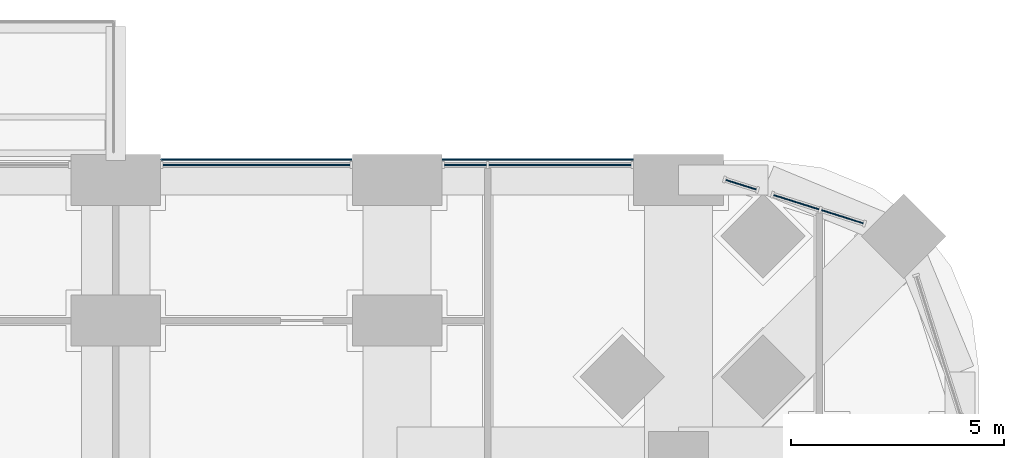
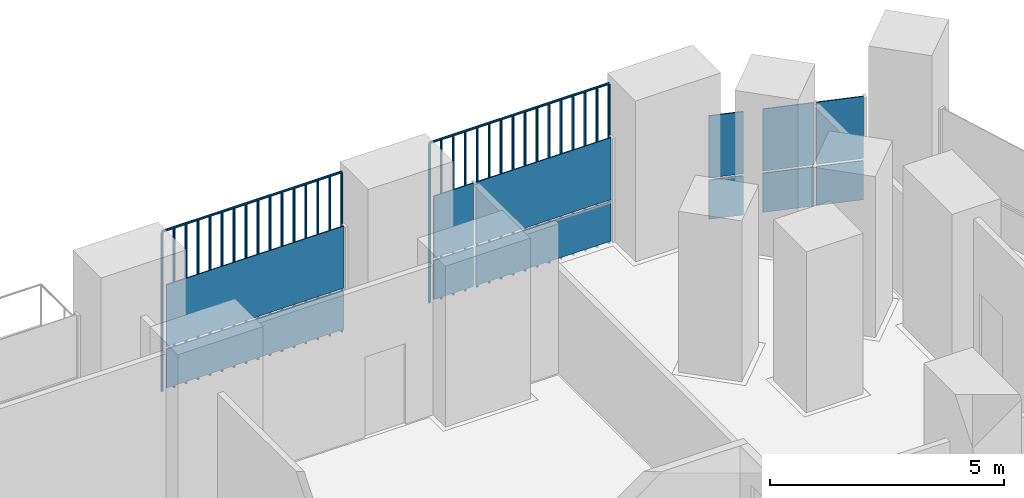
# One storey, part 16 of 26: 14 plates, 4 elements without a shape of their own.
"""IFC4 building model written with IfcOpenShell, lengths in metres."""

from ifc_helpers import new_model, si_unit, direction, frame, origin, origin_2d, place, context, subcontext, project, spatial, polyline, rectangle, outline, extrude, material, layer, layer_set, type_object, element, aggregate, save


model = new_model("IFC4")

# Units and contexts
model_context = context("Model", 3, precision=1e-05, world=origin(), true_north=direction((0.0, 1.0)))
body_context = subcontext(model_context, "Body", "Model", "MODEL_VIEW")
ifc_project = project(units=[si_unit("LENGTHUNIT", "METRE"), si_unit("AREAUNIT", "SQUARE_METRE"), si_unit("VOLUMEUNIT", "CUBIC_METRE"), si_unit("PLANEANGLEUNIT", "RADIAN"), si_unit("MASSUNIT", "GRAM", prefix="KILO")], contexts=[model_context])

# Site, building, storey
site_placement = place(None, origin())
site = spatial("IfcSite", under=ifc_project, at=site_placement, CompositionType="ELEMENT")
building_placement = place(site_placement, origin())
building = spatial("IfcBuilding", under=site, at=building_placement, Name="Cobogo Forest Laboratory Tower", CompositionType="ELEMENT")
storey_placement = place(building_placement, frame((0.0, 0.0, 59.10009765625)))
storey = spatial("IfcBuildingStorey", under=building, at=storey_placement, Name="L13", CompositionType="ELEMENT", Elevation=59.10009765625)

# Curtain wall, plates
ifc_material_1 = material(Name="Aluminium curtain wall", Category="aluminium")
curtain_wall_type = type_object("IfcCurtainWallType", Name="CW-1 unitised curtain wall, clear glazing, laboratory floors zones A and B", PredefinedType="USERDEFINED", material=ifc_material_1)
curtain_wall_1_placement = place(storey_placement, origin())
curtain_wall_1 = element("IfcCurtainWall", 1, at=curtain_wall_1_placement, inside=storey, type_object=curtain_wall_type, Name="Curtain wall 16 L13", ObjectType="UNITISED CURTAIN WALL", PredefinedType="USERDEFINED")
ifc_material_2 = material(Name="Clear insulated glass", Category="glass")
ifc_layer = layer(ifc_material_2, 0.028076171875)
ifc_layer_set = layer_set([ifc_layer], Name="GP-1 clear insulated glass unit 28")
plate_type_1 = type_object("IfcPlateType", Name="GP-1 clear insulated glass unit 28", PredefinedType="CURTAIN_PANEL", material=ifc_layer_set)
plate_1_placement = place(storey_placement, frame((50.042724609375, 45.33642578125, 0.0), z_axis=(0.0, 0.0, 1.0), x_axis=(-0.953581409645, 0.301135343623, 0.0)))
plate_1 = element("IfcPlate", 2, at=plate_1_placement, type_object=plate_type_1, Name="CW-1 panel 1.1", PredefinedType="CURTAIN_PANEL", context=body_context, shape_type="SweptSolid", body=[
    extrude(rectangle(XDim=1.027587890625, YDim=0.028076171875, at=origin_2d()), origin(), (0.0, 0.0, 1.0), 1.02001953125),
])
plate_2_placement = place(storey_placement, frame((50.042724609375, 45.33642578125, 1.079833984375), z_axis=(0.0, 0.0, 1.0), x_axis=(-0.953581409645, 0.301135343623, 0.0)))
plate_2 = element("IfcPlate", 3, at=plate_2_placement, type_object=plate_type_1, Name="CW-1 panel 1.2", PredefinedType="CURTAIN_PANEL", context=body_context, shape_type="SweptSolid", body=[
    extrude(rectangle(XDim=1.027587890625, YDim=0.028076171875, at=origin_2d()), origin(), (0.0, 0.0, 1.0), 1.6201171875),
])
plate_3_placement = place(storey_placement, frame((48.963623046875, 45.67724609375, 0.0), z_axis=(0.0, 0.0, 1.0), x_axis=(-0.953581409645, 0.301135343623, 0.0)))
plate_3 = element("IfcPlate", 4, at=plate_3_placement, type_object=plate_type_1, Name="CW-1 panel 2.1", PredefinedType="CURTAIN_PANEL", context=body_context, shape_type="SweptSolid", body=[
    extrude(rectangle(XDim=1.11572265625, YDim=0.028076171875, at=origin_2d()), origin(), (0.0, 0.0, 1.0), 1.02001953125),
])
plate_4_placement = place(storey_placement, frame((48.963623046875, 45.67724609375, 1.079833984375), z_axis=(0.0, 0.0, 1.0), x_axis=(-0.953581409645, 0.301135343623, 0.0)))
plate_4 = element("IfcPlate", 5, at=plate_4_placement, type_object=plate_type_1, Name="CW-1 panel 2.2", PredefinedType="CURTAIN_PANEL", context=body_context, shape_type="SweptSolid", body=[
    extrude(rectangle(XDim=1.11572265625, YDim=0.028076171875, at=origin_2d()), origin(), (0.0, 0.0, 1.0), 1.6201171875),
])
aggregate(curtain_wall_1, [plate_1, plate_2, plate_3, plate_4])

curtain_wall_2_placement = place(storey_placement, origin())
curtain_wall_2 = element("IfcCurtainWall", 6, at=curtain_wall_2_placement, inside=storey, type_object=curtain_wall_type, Name="Curtain wall 17 L13", ObjectType="UNITISED CURTAIN WALL", PredefinedType="USERDEFINED")
plate_5_placement = place(storey_placement, frame((47.666015625, 46.087158203125, 0.0), z_axis=(0.0, 0.0, 1.0), x_axis=(-0.953581504428, 0.301135043481, 0.0)))
plate_5 = element("IfcPlate", 7, at=plate_5_placement, type_object=plate_type_1, Name="CW-1 panel 1.1", PredefinedType="CURTAIN_PANEL", context=body_context, shape_type="SweptSolid", body=[
    extrude(rectangle(XDim=0.75244140625, YDim=0.028076171875, at=origin_2d()), origin(), (0.0, 0.0, 1.0), 1.02001953125),
])
plate_6_placement = place(storey_placement, frame((47.666015625, 46.087158203125, 1.079833984375), z_axis=(0.0, 0.0, 1.0), x_axis=(-0.953581504428, 0.301135043481, 0.0)))
plate_6 = element("IfcPlate", 8, at=plate_6_placement, type_object=plate_type_1, Name="CW-1 panel 1.2", PredefinedType="CURTAIN_PANEL", context=body_context, shape_type="SweptSolid", body=[
    extrude(rectangle(XDim=0.75244140625, YDim=0.028076171875, at=origin_2d()), origin(), (0.0, 0.0, 1.0), 1.6201171875),
])
aggregate(curtain_wall_2, [plate_5, plate_6])

curtain_wall_3_placement = place(storey_placement, origin())
curtain_wall_3 = element("IfcCurtainWall", 9, at=curtain_wall_3_placement, inside=storey, type_object=curtain_wall_type, Name="Curtain wall 18 L13", ObjectType="UNITISED CURTAIN WALL", PredefinedType="USERDEFINED")
plate_7_placement = place(storey_placement, frame((43.422607421875, 46.550048828125, 0.0), z_axis=(0.0, 0.0, 1.0), x_axis=(-1.0, 0.0, 0.0)))
plate_7 = element("IfcPlate", 10, at=plate_7_placement, type_object=plate_type_1, Name="CW-1 panel 1.1", PredefinedType="CURTAIN_PANEL", context=body_context, shape_type="SweptSolid", body=[
    extrude(rectangle(XDim=3.3349609375, YDim=0.028076171875, at=origin_2d()), origin(), (0.0, 0.0, 1.0), 1.02001953125),
])
plate_8_placement = place(storey_placement, frame((43.422607421875, 46.550048828125, 1.079833984375), z_axis=(0.0, 0.0, 1.0), x_axis=(-1.0, 0.0, 0.0)))
plate_8 = element("IfcPlate", 11, at=plate_8_placement, type_object=plate_type_1, Name="CW-1 panel 1.2", PredefinedType="CURTAIN_PANEL", context=body_context, shape_type="SweptSolid", body=[
    extrude(rectangle(XDim=3.3349609375, YDim=0.028076171875, at=origin_2d()), origin(), (0.0, 0.0, 1.0), 1.6201171875),
])
plate_9_placement = place(storey_placement, frame((41.202392578125, 46.550048828125, 0.0), z_axis=(0.0, 0.0, 1.0), x_axis=(-1.0, 0.0, 0.0)))
plate_9 = element("IfcPlate", 12, at=plate_9_placement, type_object=plate_type_1, Name="CW-1 panel 2.1", PredefinedType="CURTAIN_PANEL", context=body_context, shape_type="SweptSolid", body=[
    extrude(rectangle(XDim=0.985107421875, YDim=0.028076171875, at=origin_2d()), origin(), (0.0, 0.0, 1.0), 1.02001953125),
])
plate_10_placement = place(storey_placement, frame((41.202392578125, 46.550048828125, 1.079833984375), z_axis=(0.0, 0.0, 1.0), x_axis=(-1.0, 0.0, 0.0)))
plate_10 = element("IfcPlate", 13, at=plate_10_placement, type_object=plate_type_1, Name="CW-1 panel 2.2", PredefinedType="CURTAIN_PANEL", context=body_context, shape_type="SweptSolid", body=[
    extrude(rectangle(XDim=0.985107421875, YDim=0.028076171875, at=origin_2d()), origin(), (0.0, 0.0, 1.0), 1.6201171875),
])
aggregate(curtain_wall_3, [plate_7, plate_8, plate_9, plate_10])

curtain_wall_4_placement = place(storey_placement, origin())
curtain_wall_4 = element("IfcCurtainWall", 14, at=curtain_wall_4_placement, inside=storey, type_object=curtain_wall_type, Name="Curtain wall 19 L13", ObjectType="UNITISED CURTAIN WALL", PredefinedType="USERDEFINED")
plate_11_placement = place(storey_placement, frame((36.300048828125, 46.550048828125, 0.0), z_axis=(0.0, 0.0, 1.0), x_axis=(-1.0, 0.0, 0.0)))
plate_11 = element("IfcPlate", 15, at=plate_11_placement, type_object=plate_type_1, Name="CW-1 panel 1.1", PredefinedType="CURTAIN_PANEL", context=body_context, shape_type="SweptSolid", body=[
    extrude(rectangle(XDim=4.3798828125, YDim=0.028076171875, at=origin_2d()), origin(), (0.0, 0.0, 1.0), 1.02001953125),
])
plate_12_placement = place(storey_placement, frame((36.300048828125, 46.550048828125, 1.079833984375), z_axis=(0.0, 0.0, 1.0), x_axis=(-1.0, 0.0, 0.0)))
plate_12 = element("IfcPlate", 16, at=plate_12_placement, type_object=plate_type_1, Name="CW-1 panel 1.2", PredefinedType="CURTAIN_PANEL", context=body_context, shape_type="SweptSolid", body=[
    extrude(rectangle(XDim=4.3798828125, YDim=0.028076171875, at=origin_2d()), origin(), (0.0, 0.0, 1.0), 1.6201171875),
])
aggregate(curtain_wall_4, [plate_11, plate_12])

# Plates
ifc_material_3 = material(Name="Terracotta", Category="masonry")
plate_type_2 = type_object("IfcPlateType", Name="TB1 terracotta baguette screen", PredefinedType="USERDEFINED", material=ifc_material_3)
plate_13_placement = place(storey_placement, frame((34.081298828125, 46.677978515625, -0.150146484375)))
element("IfcPlate", 17, at=plate_13_placement, inside=storey, type_object=plate_type_2, Name="Baguette screen N5 L13", ObjectType="BAGUETTE SCREEN", PredefinedType="USERDEFINED", context=body_context, shape_type="SweptSolid", body=[
    extrude(outline(polyline([(0.02880859375, 0.011962890625), (0.011962890625, 0.02880859375), (-0.011962890625, 0.02880859375), (-0.02880859375, 0.011962890625), (-0.02880859375, -0.011962890625), (-0.011962890625, -0.02880859375), (0.011962890625, -0.02880859375), (0.02880859375, -0.011962890625), (0.02880859375, 0.011962890625)])), frame((0.0, 0.0, 4.168701171875), z_axis=(1.0, 0.0, 0.0), x_axis=(0.0, 1.0, 0.0)), (0.0, 0.0, 1.0), 4.4375),
    extrude(outline(polyline([(0.02880859375, 0.011962890625), (0.011962890625, 0.02880859375), (-0.011962890625, 0.02880859375), (-0.02880859375, 0.011962890625), (-0.02880859375, -0.011962890625), (-0.011962890625, -0.02880859375), (0.011962890625, -0.02880859375), (0.02880859375, -0.011962890625), (0.02880859375, 0.011962890625)])), origin(), (0.0, 0.0, 1.0), 4.137451171875),
    extrude(outline(polyline([(0.02880859375, 0.011962890625), (0.011962890625, 0.02880859375), (-0.011962890625, 0.02880859375), (-0.02880859375, 0.011962890625), (-0.02880859375, -0.011962890625), (-0.011962890625, -0.02880859375), (0.011962890625, -0.02880859375), (0.02880859375, -0.011962890625), (0.02880859375, 0.011962890625)])), frame((0.2958984375, 0.0, 0.0)), (0.0, 0.0, 1.0), 4.137451171875),
    extrude(outline(polyline([(0.02880859375, 0.011962890625), (0.011962890625, 0.02880859375), (-0.011962890625, 0.02880859375), (-0.02880859375, 0.011962890625), (-0.02880859375, -0.011962890625), (-0.011962890625, -0.02880859375), (0.011962890625, -0.02880859375), (0.02880859375, -0.011962890625), (0.02880859375, 0.011962890625)])), frame((0.591552734375, 0.0, 0.0)), (0.0, 0.0, 1.0), 4.137451171875),
    extrude(outline(polyline([(0.02880859375, 0.011962890625), (0.011962890625, 0.02880859375), (-0.011962890625, 0.02880859375), (-0.02880859375, 0.011962890625), (-0.02880859375, -0.011962890625), (-0.011962890625, -0.02880859375), (0.011962890625, -0.02880859375), (0.02880859375, -0.011962890625), (0.02880859375, 0.011962890625)])), frame((0.887451171875, 0.0, 0.0)), (0.0, 0.0, 1.0), 4.137451171875),
    extrude(outline(polyline([(0.02880859375, 0.011962890625), (0.011962890625, 0.02880859375), (-0.011962890625, 0.02880859375), (-0.02880859375, 0.011962890625), (-0.02880859375, -0.011962890625), (-0.011962890625, -0.02880859375), (0.011962890625, -0.02880859375), (0.02880859375, -0.011962890625), (0.02880859375, 0.011962890625)])), frame((1.183349609375, 0.0, 0.0)), (0.0, 0.0, 1.0), 4.137451171875),
    extrude(outline(polyline([(0.02880859375, 0.011962890625), (0.011962890625, 0.02880859375), (-0.011962890625, 0.02880859375), (-0.02880859375, 0.011962890625), (-0.02880859375, -0.011962890625), (-0.011962890625, -0.02880859375), (0.011962890625, -0.02880859375), (0.02880859375, -0.011962890625), (0.02880859375, 0.011962890625)])), frame((1.479248046875, 0.0, 0.0)), (0.0, 0.0, 1.0), 4.137451171875),
    extrude(outline(polyline([(0.02880859375, 0.011962890625), (0.011962890625, 0.02880859375), (-0.011962890625, 0.02880859375), (-0.02880859375, 0.011962890625), (-0.02880859375, -0.011962890625), (-0.011962890625, -0.02880859375), (0.011962890625, -0.02880859375), (0.02880859375, -0.011962890625), (0.02880859375, 0.011962890625)])), frame((1.77490234375, 0.0, 0.0)), (0.0, 0.0, 1.0), 4.137451171875),
    extrude(outline(polyline([(0.02880859375, 0.011962890625), (0.011962890625, 0.02880859375), (-0.011962890625, 0.02880859375), (-0.02880859375, 0.011962890625), (-0.02880859375, -0.011962890625), (-0.011962890625, -0.02880859375), (0.011962890625, -0.02880859375), (0.02880859375, -0.011962890625), (0.02880859375, 0.011962890625)])), frame((2.07080078125, 0.0, 0.0)), (0.0, 0.0, 1.0), 4.137451171875),
    extrude(outline(polyline([(0.02880859375, 0.011962890625), (0.011962890625, 0.02880859375), (-0.011962890625, 0.02880859375), (-0.02880859375, 0.011962890625), (-0.02880859375, -0.011962890625), (-0.011962890625, -0.02880859375), (0.011962890625, -0.02880859375), (0.02880859375, -0.011962890625), (0.02880859375, 0.011962890625)])), frame((2.36669921875, 0.0, 0.0)), (0.0, 0.0, 1.0), 4.137451171875),
    extrude(outline(polyline([(0.02880859375, 0.011962890625), (0.011962890625, 0.02880859375), (-0.011962890625, 0.02880859375), (-0.02880859375, 0.011962890625), (-0.02880859375, -0.011962890625), (-0.011962890625, -0.02880859375), (0.011962890625, -0.02880859375), (0.02880859375, -0.011962890625), (0.02880859375, 0.011962890625)])), frame((2.66259765625, 0.0, 0.0)), (0.0, 0.0, 1.0), 4.137451171875),
    extrude(outline(polyline([(0.02880859375, 0.011962890625), (0.011962890625, 0.02880859375), (-0.011962890625, 0.02880859375), (-0.02880859375, 0.011962890625), (-0.02880859375, -0.011962890625), (-0.011962890625, -0.02880859375), (0.011962890625, -0.02880859375), (0.02880859375, -0.011962890625), (0.02880859375, 0.011962890625)])), frame((2.958251953125, 0.0, 0.0)), (0.0, 0.0, 1.0), 4.137451171875),
    extrude(outline(polyline([(0.02880859375, 0.011962890625), (0.011962890625, 0.02880859375), (-0.011962890625, 0.02880859375), (-0.02880859375, 0.011962890625), (-0.02880859375, -0.011962890625), (-0.011962890625, -0.02880859375), (0.011962890625, -0.02880859375), (0.02880859375, -0.011962890625), (0.02880859375, 0.011962890625)])), frame((3.254150390625, 0.0, 0.0)), (0.0, 0.0, 1.0), 4.137451171875),
    extrude(outline(polyline([(0.02880859375, 0.011962890625), (0.011962890625, 0.02880859375), (-0.011962890625, 0.02880859375), (-0.02880859375, 0.011962890625), (-0.02880859375, -0.011962890625), (-0.011962890625, -0.02880859375), (0.011962890625, -0.02880859375), (0.02880859375, -0.011962890625), (0.02880859375, 0.011962890625)])), frame((3.550048828125, 0.0, 0.0)), (0.0, 0.0, 1.0), 4.137451171875),
    extrude(outline(polyline([(0.02880859375, 0.011962890625), (0.011962890625, 0.02880859375), (-0.011962890625, 0.02880859375), (-0.02880859375, 0.011962890625), (-0.02880859375, -0.011962890625), (-0.011962890625, -0.02880859375), (0.011962890625, -0.02880859375), (0.02880859375, -0.011962890625), (0.02880859375, 0.011962890625)])), frame((3.845947265625, 0.0, 0.0)), (0.0, 0.0, 1.0), 4.137451171875),
    extrude(outline(polyline([(0.02880859375, 0.011962890625), (0.011962890625, 0.02880859375), (-0.011962890625, 0.02880859375), (-0.02880859375, 0.011962890625), (-0.02880859375, -0.011962890625), (-0.011962890625, -0.02880859375), (0.011962890625, -0.02880859375), (0.02880859375, -0.011962890625), (0.02880859375, 0.011962890625)])), frame((4.1416015625, 0.0, 0.0)), (0.0, 0.0, 1.0), 4.137451171875),
    extrude(outline(polyline([(0.02880859375, 0.011962890625), (0.011962890625, 0.02880859375), (-0.011962890625, 0.02880859375), (-0.02880859375, 0.011962890625), (-0.02880859375, -0.011962890625), (-0.011962890625, -0.02880859375), (0.011962890625, -0.02880859375), (0.02880859375, -0.011962890625), (0.02880859375, 0.011962890625)])), frame((4.4375, 0.0, 0.0)), (0.0, 0.0, 1.0), 4.137451171875),
])
plate_14_placement = place(storey_placement, frame((40.68115234375, 46.677978515625, -0.150146484375)))
element("IfcPlate", 18, at=plate_14_placement, inside=storey, type_object=plate_type_2, Name="Baguette screen N6 L13", ObjectType="BAGUETTE SCREEN", PredefinedType="USERDEFINED", context=body_context, shape_type="SweptSolid", body=[
    extrude(outline(polyline([(0.02880859375, 0.011962890625), (0.011962890625, 0.02880859375), (-0.011962890625, 0.02880859375), (-0.02880859375, 0.011962890625), (-0.02880859375, -0.011962890625), (-0.011962890625, -0.02880859375), (0.011962890625, -0.02880859375), (0.02880859375, -0.011962890625), (0.02880859375, 0.011962890625)])), frame((0.0, 0.0, 4.168701171875), z_axis=(1.0, 0.0, 0.0), x_axis=(0.0, 1.0, 0.0)), (0.0, 0.0, 1.0), 4.4375),
    extrude(outline(polyline([(0.02880859375, 0.011962890625), (0.011962890625, 0.02880859375), (-0.011962890625, 0.02880859375), (-0.02880859375, 0.011962890625), (-0.02880859375, -0.011962890625), (-0.011962890625, -0.02880859375), (0.011962890625, -0.02880859375), (0.02880859375, -0.011962890625), (0.02880859375, 0.011962890625)])), origin(), (0.0, 0.0, 1.0), 4.137451171875),
    extrude(outline(polyline([(0.02880859375, 0.011962890625), (0.011962890625, 0.02880859375), (-0.011962890625, 0.02880859375), (-0.02880859375, 0.011962890625), (-0.02880859375, -0.011962890625), (-0.011962890625, -0.02880859375), (0.011962890625, -0.02880859375), (0.02880859375, -0.011962890625), (0.02880859375, 0.011962890625)])), frame((0.2958984375, 0.0, 0.0)), (0.0, 0.0, 1.0), 4.137451171875),
    extrude(outline(polyline([(0.02880859375, 0.011962890625), (0.011962890625, 0.02880859375), (-0.011962890625, 0.02880859375), (-0.02880859375, 0.011962890625), (-0.02880859375, -0.011962890625), (-0.011962890625, -0.02880859375), (0.011962890625, -0.02880859375), (0.02880859375, -0.011962890625), (0.02880859375, 0.011962890625)])), frame((0.591552734375, 0.0, 0.0)), (0.0, 0.0, 1.0), 4.137451171875),
    extrude(outline(polyline([(0.02880859375, 0.011962890625), (0.011962890625, 0.02880859375), (-0.011962890625, 0.02880859375), (-0.02880859375, 0.011962890625), (-0.02880859375, -0.011962890625), (-0.011962890625, -0.02880859375), (0.011962890625, -0.02880859375), (0.02880859375, -0.011962890625), (0.02880859375, 0.011962890625)])), frame((0.887451171875, 0.0, 0.0)), (0.0, 0.0, 1.0), 4.137451171875),
    extrude(outline(polyline([(0.02880859375, 0.011962890625), (0.011962890625, 0.02880859375), (-0.011962890625, 0.02880859375), (-0.02880859375, 0.011962890625), (-0.02880859375, -0.011962890625), (-0.011962890625, -0.02880859375), (0.011962890625, -0.02880859375), (0.02880859375, -0.011962890625), (0.02880859375, 0.011962890625)])), frame((1.183349609375, 0.0, 0.0)), (0.0, 0.0, 1.0), 4.137451171875),
    extrude(outline(polyline([(0.02880859375, 0.011962890625), (0.011962890625, 0.02880859375), (-0.011962890625, 0.02880859375), (-0.02880859375, 0.011962890625), (-0.02880859375, -0.011962890625), (-0.011962890625, -0.02880859375), (0.011962890625, -0.02880859375), (0.02880859375, -0.011962890625), (0.02880859375, 0.011962890625)])), frame((1.479248046875, 0.0, 0.0)), (0.0, 0.0, 1.0), 4.137451171875),
    extrude(outline(polyline([(0.02880859375, 0.011962890625), (0.011962890625, 0.02880859375), (-0.011962890625, 0.02880859375), (-0.02880859375, 0.011962890625), (-0.02880859375, -0.011962890625), (-0.011962890625, -0.02880859375), (0.011962890625, -0.02880859375), (0.02880859375, -0.011962890625), (0.02880859375, 0.011962890625)])), frame((1.77490234375, 0.0, 0.0)), (0.0, 0.0, 1.0), 4.137451171875),
    extrude(outline(polyline([(0.02880859375, 0.011962890625), (0.011962890625, 0.02880859375), (-0.011962890625, 0.02880859375), (-0.02880859375, 0.011962890625), (-0.02880859375, -0.011962890625), (-0.011962890625, -0.02880859375), (0.011962890625, -0.02880859375), (0.02880859375, -0.011962890625), (0.02880859375, 0.011962890625)])), frame((2.07080078125, 0.0, 0.0)), (0.0, 0.0, 1.0), 4.137451171875),
    extrude(outline(polyline([(0.02880859375, 0.011962890625), (0.011962890625, 0.02880859375), (-0.011962890625, 0.02880859375), (-0.02880859375, 0.011962890625), (-0.02880859375, -0.011962890625), (-0.011962890625, -0.02880859375), (0.011962890625, -0.02880859375), (0.02880859375, -0.011962890625), (0.02880859375, 0.011962890625)])), frame((2.36669921875, 0.0, 0.0)), (0.0, 0.0, 1.0), 4.137451171875),
    extrude(outline(polyline([(0.02880859375, 0.011962890625), (0.011962890625, 0.02880859375), (-0.011962890625, 0.02880859375), (-0.02880859375, 0.011962890625), (-0.02880859375, -0.011962890625), (-0.011962890625, -0.02880859375), (0.011962890625, -0.02880859375), (0.02880859375, -0.011962890625), (0.02880859375, 0.011962890625)])), frame((2.66259765625, 0.0, 0.0)), (0.0, 0.0, 1.0), 4.137451171875),
    extrude(outline(polyline([(0.02880859375, 0.011962890625), (0.011962890625, 0.02880859375), (-0.011962890625, 0.02880859375), (-0.02880859375, 0.011962890625), (-0.02880859375, -0.011962890625), (-0.011962890625, -0.02880859375), (0.011962890625, -0.02880859375), (0.02880859375, -0.011962890625), (0.02880859375, 0.011962890625)])), frame((2.958251953125, 0.0, 0.0)), (0.0, 0.0, 1.0), 4.137451171875),
    extrude(outline(polyline([(0.02880859375, 0.011962890625), (0.011962890625, 0.02880859375), (-0.011962890625, 0.02880859375), (-0.02880859375, 0.011962890625), (-0.02880859375, -0.011962890625), (-0.011962890625, -0.02880859375), (0.011962890625, -0.02880859375), (0.02880859375, -0.011962890625), (0.02880859375, 0.011962890625)])), frame((3.254150390625, 0.0, 0.0)), (0.0, 0.0, 1.0), 4.137451171875),
    extrude(outline(polyline([(0.02880859375, 0.011962890625), (0.011962890625, 0.02880859375), (-0.011962890625, 0.02880859375), (-0.02880859375, 0.011962890625), (-0.02880859375, -0.011962890625), (-0.011962890625, -0.02880859375), (0.011962890625, -0.02880859375), (0.02880859375, -0.011962890625), (0.02880859375, 0.011962890625)])), frame((3.550048828125, 0.0, 0.0)), (0.0, 0.0, 1.0), 4.137451171875),
    extrude(outline(polyline([(0.02880859375, 0.011962890625), (0.011962890625, 0.02880859375), (-0.011962890625, 0.02880859375), (-0.02880859375, 0.011962890625), (-0.02880859375, -0.011962890625), (-0.011962890625, -0.02880859375), (0.011962890625, -0.02880859375), (0.02880859375, -0.011962890625), (0.02880859375, 0.011962890625)])), frame((3.845947265625, 0.0, 0.0)), (0.0, 0.0, 1.0), 4.137451171875),
    extrude(outline(polyline([(0.02880859375, 0.011962890625), (0.011962890625, 0.02880859375), (-0.011962890625, 0.02880859375), (-0.02880859375, 0.011962890625), (-0.02880859375, -0.011962890625), (-0.011962890625, -0.02880859375), (0.011962890625, -0.02880859375), (0.02880859375, -0.011962890625), (0.02880859375, 0.011962890625)])), frame((4.1416015625, 0.0, 0.0)), (0.0, 0.0, 1.0), 4.137451171875),
    extrude(outline(polyline([(0.02880859375, 0.011962890625), (0.011962890625, 0.02880859375), (-0.011962890625, 0.02880859375), (-0.02880859375, 0.011962890625), (-0.02880859375, -0.011962890625), (-0.011962890625, -0.02880859375), (0.011962890625, -0.02880859375), (0.02880859375, -0.011962890625), (0.02880859375, 0.011962890625)])), frame((4.4375, 0.0, 0.0)), (0.0, 0.0, 1.0), 4.137451171875),
])

save(model, "model.ifc")
